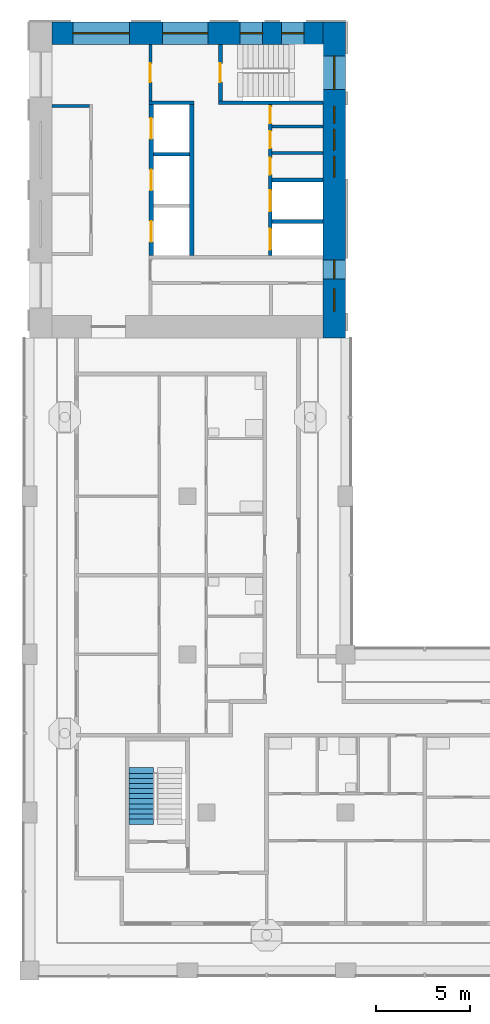
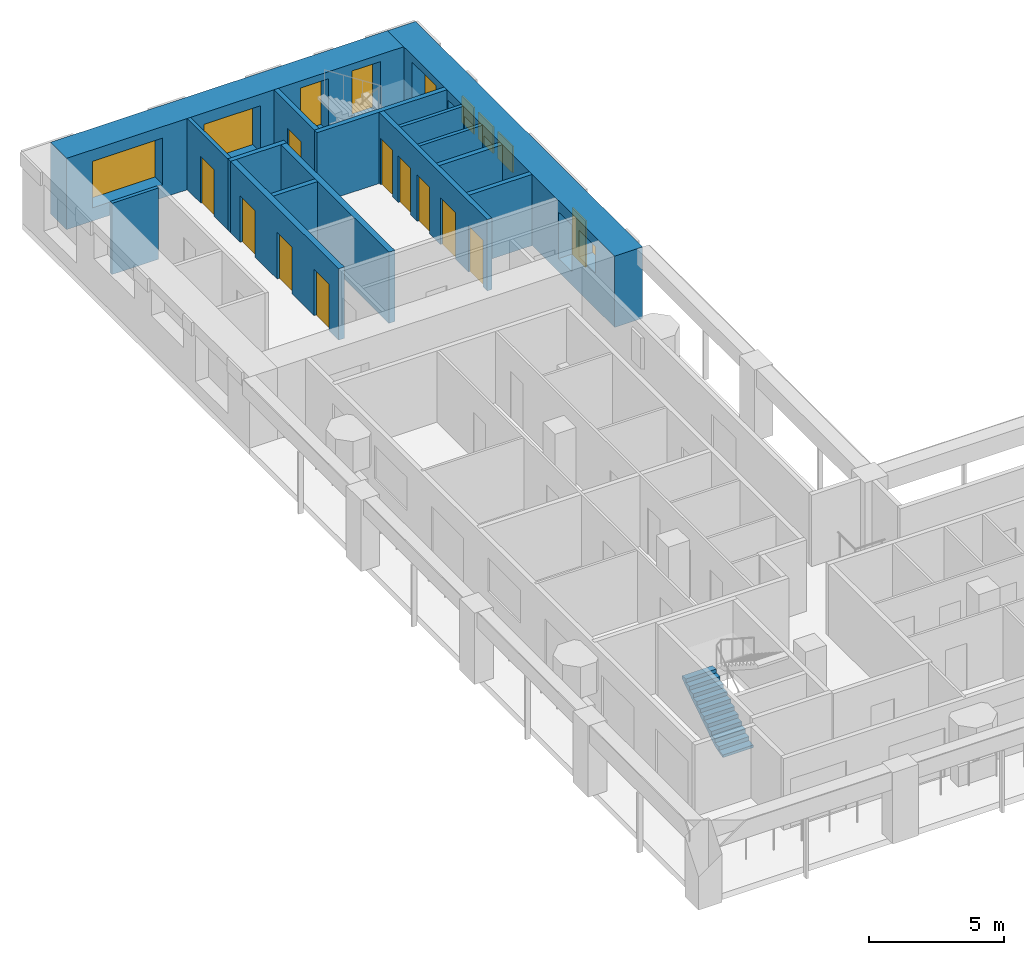
# One storey, part 6 of 12: 15 walls, 10 doors, 10 windows, 1 stair flight, 20 openings, 1 element without a shape of its own.
"""IFC4 building model written with IfcOpenShell, lengths in metres."""

from ifc_helpers import new_model, si_unit, direction, frame, frame_2d, origin, place, context, subcontext, project, spatial, polyline, rectangle, outline, extrude, material, layer, layer_set, type_object, element, fill, aggregate, save


model = new_model("IFC4")

# Units and contexts
model_context = context("Model", 3, precision=1e-05, world=origin(), true_north=direction((0.0, 1.0)))
body_context = subcontext(model_context, "Body", "Model", "MODEL_VIEW")
ifc_project = project(units=[si_unit("LENGTHUNIT", "METRE"), si_unit("AREAUNIT", "SQUARE_METRE"), si_unit("VOLUMEUNIT", "CUBIC_METRE"), si_unit("PLANEANGLEUNIT", "RADIAN"), si_unit("MASSUNIT", "GRAM", prefix="KILO")], contexts=[model_context])

# Site, building, storey
site_placement = place(None, origin())
site = spatial("IfcSite", under=ifc_project, at=site_placement, CompositionType="ELEMENT")
building_placement = place(site_placement, origin())
building = spatial("IfcBuilding", under=site, at=building_placement, Name="Vermilion Gate Residences", CompositionType="ELEMENT")
storey_placement = place(building_placement, frame((0.0, 0.0, 217.699951171875)))
storey = spatial("IfcBuildingStorey", under=building, at=storey_placement, Name="L56", CompositionType="ELEMENT", Elevation=217.699951171875)

# Walls
ifc_material_1 = material(Name="Masonry blockwork", Category="masonry")
ifc_layer_1 = layer(ifc_material_1, 0.14990234375)
ifc_layer_set_1 = layer_set([ifc_layer_1], Name="BLOCKWORK PARTITION 150 EI 120")
wall_type_1 = type_object("IfcWallType", Name="BLOCKWORK PARTITION 150 EI 120", PredefinedType="PARTITIONING", material=ifc_layer_set_1)
wall_1_placement = place(storey_placement, frame((9.60009765625, 54.324951171875, 0.0), z_axis=(0.0, 0.0, 1.0), x_axis=(1.0, 0.0, 0.0)))
element("IfcWall", 1, at=wall_1_placement, inside=storey, type_object=wall_type_1, Name="Core room partition B56-RW-W", PredefinedType="PARTITIONING", context=body_context, shape_type="SweptSolid", body=[
    extrude(rectangle(XDim=2.0, YDim=0.14990234375, at=frame_2d((1.0, 0.0))), origin(), (0.0, 0.0, 1.0), 3.219970703125),
])
for number, where, z_axis, x_axis, name in (
    (2, (21.300048828125, 53.2451171875, 0.0), (0.0, 0.0, 1.0), (1.0, 0.0, 0.0), "Core room partition B56-NR-P0"),
    (3, (21.300048828125, 51.8349609375, 0.0), (0.0, 0.0, 1.0), (1.0, 0.0, 0.0), "Core room partition B56-NR-P1"),
):
    element("IfcWall", number, at=place(storey_placement, frame(where, z_axis=z_axis, x_axis=x_axis)), inside=storey, type_object=wall_type_1, Name=name, PredefinedType="PARTITIONING", context=body_context, shape_type="SweptSolid", body=[
        extrude(rectangle(XDim=2.699951171875, YDim=0.14990234375, at=frame_2d((1.35009765625, 0.0))), origin(), (0.0, 0.0, 1.0), 3.219970703125),
    ])

# Wall, opening, door
wall_2_placement = place(storey_placement, frame((14.824951171875, 57.60009765625, 0.0), z_axis=(0.0, 0.0, 1.0), x_axis=(0.0, -1.0, 0.0)))
wall_2 = element("IfcWall", 4, at=wall_2_placement, inside=storey, type_object=wall_type_1, Name="Core room partition B56-VW-S", PredefinedType="PARTITIONING", context=body_context, shape_type="SweptSolid", body=[
    extrude(rectangle(XDim=3.0, YDim=0.14990234375, at=frame_2d((1.5, 0.0))), origin(), (0.0, 0.0, 1.0), 3.219970703125),
])
opening_1_placement = place(wall_2_placement, frame((1.0, 0.0, 0.0)))
opening_1 = element("IfcOpeningElement", 5, at=opening_1_placement, cuts=wall_2, Name="Opening DK56112", PredefinedType="OPENING", context=body_context, shape_type="SweptSolid", body=[
    extrude(rectangle(XDim=1.0, YDim=2.10009765625, at=frame_2d((0.5, 1.050048828125))), frame((0.0, 0.0849609375, 0.0), z_axis=(0.0, -1.0, 0.0), x_axis=(1.0, 0.0, 0.0)), (0.0, 0.0, 1.0), 0.169921875),
])
ifc_material_2 = material(Name="Steel", Category="steel")
door_type_1 = type_object("IfcDoorType", Name="FIRE DOOR FD60 1000 X 2100", OperationType="SINGLE_SWING_LEFT", PredefinedType="DOOR", material=ifc_material_2)
door_1_placement = place(opening_1_placement, frame((1.0, 0.0, 0.0), z_axis=(0.0, 0.0, 1.0), x_axis=(-1.0, 0.0, 0.0)))
door_1 = element("IfcDoor", 6, at=door_1_placement, inside=storey, type_object=door_type_1, Name="Stair vestibule door B56", OperationType="SINGLE_SWING_RIGHT", OverallHeight=2.10009765625, OverallWidth=1.0, PredefinedType="DOOR", context=body_context, shape_type="SweptSolid", body=[
    extrude(rectangle(XDim=1.0, YDim=2.10009765625, at=frame_2d((0.5, 1.050048828125))), frame((0.0, 0.02490234375, 0.0), z_axis=(0.0, -1.0, 0.0), x_axis=(1.0, 0.0, 0.0)), (0.0, 0.0, 1.0), 0.050048828125),
])
fill(opening_1, door_1)

# Walls
ifc_material_3 = material(Name="Concrete C60", Category="concrete")
ifc_layer_2 = layer(ifc_material_3, 0.199951171875)
ifc_layer_set_2 = layer_set([ifc_layer_2], Name="RC CORE INTERNAL WALL 200 C60")
wall_type_2 = type_object("IfcWallType", Name="RC CORE INTERNAL WALL 200 C60", PredefinedType="SHEAR", material=ifc_layer_set_2)
wall_3_placement = place(storey_placement, frame((15.0, 51.7666015625, 0.0), z_axis=(0.0, 0.0, 1.0), x_axis=(1.0, 0.0, 0.0)))
element("IfcWall", 7, at=wall_3_placement, inside=storey, type_object=wall_type_2, Name="Core internal wall B56-HR-D1", PredefinedType="SHEAR", context=body_context, shape_type="SweptSolid", body=[
    extrude(rectangle(XDim=1.89990234375, YDim=0.199951171875, at=frame_2d((0.949951171875, 0.0))), origin(), (0.0, 0.0, 1.0), 3.219970703125),
])
for number, where, z_axis, x_axis, name in (
    (8, (21.300048828125, 50.39990234375, 0.0), (0.0, 0.0, 1.0), (1.0, 0.0, 0.0), "Core internal wall B56-FF-D0"),
    (9, (21.300048828125, 48.199951171875, 0.0), (0.0, 0.0, 1.0), (1.0, 0.0, 0.0), "Core internal wall B56-FF-D1"),
):
    element("IfcWall", number, at=place(storey_placement, frame(where, z_axis=z_axis, x_axis=x_axis)), inside=storey, type_object=wall_type_2, Name=name, PredefinedType="SHEAR", context=body_context, shape_type="SweptSolid", body=[
        extrude(rectangle(XDim=2.699951171875, YDim=0.199951171875, at=frame_2d((1.35009765625, 0.0))), origin(), (0.0, 0.0, 1.0), 3.219970703125),
    ])

# Wall, openings, doors
wall_4_placement = place(storey_placement, frame((21.199951171875, 54.39990234375, 0.0), z_axis=(0.0, 0.0, 1.0), x_axis=(0.0, -1.0, 0.0)))
wall_4 = element("IfcWall", 10, at=wall_4_placement, inside=storey, type_object=wall_type_2, Name="Core internal wall B56-FF-F", PredefinedType="SHEAR", context=body_context, shape_type="SweptSolid", body=[
    extrude(rectangle(XDim=8.0, YDim=0.199951171875, at=frame_2d((4.0, 0.0))), origin(), (0.0, 0.0, 1.0), 3.219970703125),
])
opening_2_placement = place(wall_4_placement, frame((0.090087890625, 0.0, 0.0)))
opening_2 = element("IfcOpeningElement", 11, at=opening_2_placement, cuts=wall_4, Name="Opening DK56107", PredefinedType="OPENING", context=body_context, shape_type="SweptSolid", body=[
    extrude(rectangle(XDim=0.89990234375, YDim=2.10009765625, at=frame_2d((0.449951171875, 1.050048828125))), frame((0.0, 0.10986328125, 0.0), z_axis=(0.0, -1.0, 0.0), x_axis=(1.0, 0.0, 0.0)), (0.0, 0.0, 1.0), 0.219970703125),
])
opening_3_placement = place(wall_4_placement, frame((1.409912109375, 0.0, 0.0)))
opening_3 = element("IfcOpeningElement", 12, at=opening_3_placement, cuts=wall_4, Name="Opening DK56108", PredefinedType="OPENING", context=body_context, shape_type="SweptSolid", body=[
    extrude(rectangle(XDim=0.89990234375, YDim=2.10009765625, at=frame_2d((0.449951171875, 1.050048828125))), frame((0.0, 0.10986328125, 0.0), z_axis=(0.0, -1.0, 0.0), x_axis=(1.0, 0.0, 0.0)), (0.0, 0.0, 1.0), 0.219970703125),
])
opening_4_placement = place(wall_4_placement, frame((2.820068359375, 0.0, 0.0)))
opening_4 = element("IfcOpeningElement", 13, at=opening_4_placement, cuts=wall_4, Name="Opening DK56109", PredefinedType="OPENING", context=body_context, shape_type="SweptSolid", body=[
    extrude(rectangle(XDim=0.89990234375, YDim=2.10009765625, at=frame_2d((0.449951171875, 1.050048828125))), frame((0.0, 0.10986328125, 0.0), z_axis=(0.0, -1.0, 0.0), x_axis=(1.0, 0.0, 0.0)), (0.0, 0.0, 1.0), 0.219970703125),
])
opening_5_placement = place(wall_4_placement, frame((4.550048828125, 0.0, 0.0)))
opening_5 = element("IfcOpeningElement", 14, at=opening_5_placement, cuts=wall_4, Name="Opening LD", PredefinedType="OPENING", context=body_context, shape_type="SweptSolid", body=[
    extrude(rectangle(XDim=1.10009765625, YDim=2.10009765625, at=frame_2d((0.550048828125, 1.050048828125))), frame((0.0, 0.10986328125, 0.0), z_axis=(0.0, -1.0, 0.0), x_axis=(1.0, 0.0, 0.0)), (0.0, 0.0, 1.0), 0.219970703125),
])
opening_6_placement = place(wall_4_placement, frame((6.60009765625, 0.0, 0.0)))
opening_6 = element("IfcOpeningElement", 15, at=opening_6_placement, cuts=wall_4, Name="Opening LD", PredefinedType="OPENING", context=body_context, shape_type="SweptSolid", body=[
    extrude(rectangle(XDim=1.10009765625, YDim=2.10009765625, at=frame_2d((0.550048828125, 1.050048828125))), frame((0.0, 0.10986328125, 0.0), z_axis=(0.0, -1.0, 0.0), x_axis=(1.0, 0.0, 0.0)), (0.0, 0.0, 1.0), 0.219970703125),
])
ifc_material_4 = material(Name="Stainless steel", Category="steel")
door_type_2 = type_object("IfcDoorType", Name="LIFT LANDING DOOR E60 1100 X 2100", OperationType="DOUBLE_DOOR_SLIDING", PredefinedType="DOOR", material=ifc_material_4)
door_2_placement = place(opening_5_placement, origin())
door_2 = element("IfcDoor", 16, at=door_2_placement, inside=storey, type_object=door_type_2, Name="Lift landing door LFB1", OperationType="DOUBLE_DOOR_SLIDING", OverallHeight=2.10009765625, OverallWidth=1.10009765625, PredefinedType="DOOR", context=body_context, shape_type="SweptSolid", body=[
    extrude(rectangle(XDim=1.10009765625, YDim=2.10009765625, at=frame_2d((0.550048828125, 1.050048828125))), frame((0.0, 0.02490234375, 0.0), z_axis=(0.0, -1.0, 0.0), x_axis=(1.0, 0.0, 0.0)), (0.0, 0.0, 1.0), 0.050048828125),
])
fill(opening_5, door_2)
door_3_placement = place(opening_6_placement, origin())
door_3 = element("IfcDoor", 17, at=door_3_placement, inside=storey, type_object=door_type_2, Name="Lift landing door LCB1", OperationType="DOUBLE_DOOR_SLIDING", OverallHeight=2.10009765625, OverallWidth=1.10009765625, PredefinedType="DOOR", context=body_context, shape_type="SweptSolid", body=[
    extrude(rectangle(XDim=1.10009765625, YDim=2.10009765625, at=frame_2d((0.550048828125, 1.050048828125))), frame((0.0, 0.02490234375, 0.0), z_axis=(0.0, -1.0, 0.0), x_axis=(1.0, 0.0, 0.0)), (0.0, 0.0, 1.0), 0.050048828125),
])
fill(opening_6, door_3)
ifc_material_5 = material(Name="Steel", Category="steel")
door_type_3 = type_object("IfcDoorType", Name="SERVICE ROOM DOOR FD60 900 X 2100", OperationType="SINGLE_SWING_LEFT", PredefinedType="DOOR", material=ifc_material_5)
door_4_placement = place(opening_2_placement, origin())
door_4 = element("IfcDoor", 18, at=door_4_placement, inside=storey, type_object=door_type_3, Name="Parcel room B56", OperationType="SINGLE_SWING_RIGHT", OverallHeight=2.10009765625, OverallWidth=0.89990234375, PredefinedType="DOOR", context=body_context, shape_type="SweptSolid", body=[
    extrude(rectangle(XDim=0.89990234375, YDim=2.10009765625, at=frame_2d((0.449951171875, 1.050048828125))), frame((0.0, 0.02490234375, 0.0), z_axis=(0.0, -1.0, 0.0), x_axis=(1.0, 0.0, 0.0)), (0.0, 0.0, 1.0), 0.050048828125),
])
fill(opening_2, door_4)
door_5_placement = place(opening_3_placement, frame((0.89990234375, 0.0, 0.0), z_axis=(0.0, 0.0, 1.0), x_axis=(-1.0, 0.0, 0.0)))
door_5 = element("IfcDoor", 19, at=door_5_placement, inside=storey, type_object=door_type_3, Name="Electrical room B56", OperationType="SINGLE_SWING_RIGHT", OverallHeight=2.10009765625, OverallWidth=0.89990234375, PredefinedType="DOOR", context=body_context, shape_type="SweptSolid", body=[
    extrude(rectangle(XDim=0.89990234375, YDim=2.10009765625, at=frame_2d((0.449951171875, 1.050048828125))), frame((0.0, 0.02490234375, 0.0), z_axis=(0.0, -1.0, 0.0), x_axis=(1.0, 0.0, 0.0)), (0.0, 0.0, 1.0), 0.050048828125),
])
fill(opening_3, door_5)
door_6_placement = place(opening_4_placement, origin())
door_6 = element("IfcDoor", 20, at=door_6_placement, inside=storey, type_object=door_type_3, Name="Housekeeping store B56", OperationType="SINGLE_SWING_LEFT", OverallHeight=2.10009765625, OverallWidth=0.89990234375, PredefinedType="DOOR", context=body_context, shape_type="SweptSolid", body=[
    extrude(rectangle(XDim=0.89990234375, YDim=2.10009765625, at=frame_2d((0.449951171875, 1.050048828125))), frame((0.0, 0.02490234375, 0.0), z_axis=(0.0, -1.0, 0.0), x_axis=(1.0, 0.0, 0.0)), (0.0, 0.0, 1.0), 0.050048828125),
])
fill(opening_4, door_6)

# Walls
wall_5_placement = place(storey_placement, frame((14.75, 54.5, 0.0), z_axis=(0.0, 0.0, 1.0), x_axis=(1.0, 0.0, 0.0)))
element("IfcWall", 21, at=wall_5_placement, inside=storey, type_object=wall_type_2, Name="Core internal wall B56-WDIV1", PredefinedType="SHEAR", context=body_context, shape_type="SweptSolid", body=[
    extrude(rectangle(XDim=2.39990234375, YDim=0.199951171875, at=frame_2d((1.199951171875, 0.0))), origin(), (0.0, 0.0, 1.0), 3.219970703125),
])
wall_6_placement = place(storey_placement, frame((18.449951171875, 54.5, 0.0), z_axis=(0.0, 0.0, 1.0), x_axis=(1.0, 0.0, 0.0)))
element("IfcWall", 22, at=wall_6_placement, inside=storey, type_object=wall_type_2, Name="Core internal wall B56-WDIV2", PredefinedType="SHEAR", context=body_context, shape_type="SweptSolid", body=[
    extrude(rectangle(XDim=5.550048828125, YDim=0.199951171875, at=frame_2d((2.77490234375, 0.0))), origin(), (0.0, 0.0, 1.0), 3.219970703125),
])

# Wall, opening, door
wall_7_placement = place(storey_placement, frame((18.550048828125, 57.60009765625, 0.0), z_axis=(0.0, 0.0, 1.0), x_axis=(0.0, -1.0, 0.0)))
wall_7 = element("IfcWall", 23, at=wall_7_placement, inside=storey, type_object=wall_type_2, Name="Core internal wall B56-STW-S", PredefinedType="SHEAR", context=body_context, shape_type="SweptSolid", body=[
    extrude(rectangle(XDim=3.0, YDim=0.199951171875, at=frame_2d((1.5, 0.0))), origin(), (0.0, 0.0, 1.0), 3.219970703125),
])
opening_7_placement = place(wall_7_placement, frame((1.0, 0.0, 0.0)))
opening_7 = element("IfcOpeningElement", 24, at=opening_7_placement, cuts=wall_7, Name="Opening DK56113", PredefinedType="OPENING", context=body_context, shape_type="SweptSolid", body=[
    extrude(rectangle(XDim=1.0, YDim=2.10009765625, at=frame_2d((0.5, 1.050048828125))), frame((0.0, 0.10986328125, 0.0), z_axis=(0.0, -1.0, 0.0), x_axis=(1.0, 0.0, 0.0)), (0.0, 0.0, 1.0), 0.219970703125),
])
door_7_placement = place(opening_7_placement, origin())
door_7 = element("IfcDoor", 25, at=door_7_placement, inside=storey, type_object=door_type_1, Name="Stair door B56", OperationType="SINGLE_SWING_LEFT", OverallHeight=2.10009765625, OverallWidth=1.0, PredefinedType="DOOR", context=body_context, shape_type="SweptSolid", body=[
    extrude(rectangle(XDim=1.0, YDim=2.10009765625, at=frame_2d((0.5, 1.050048828125))), frame((0.0, 0.02490234375, 0.0), z_axis=(0.0, -1.0, 0.0), x_axis=(1.0, 0.0, 0.0)), (0.0, 0.0, 1.0), 0.050048828125),
])
fill(opening_7, door_7)

# Wall, openings, windows
ifc_material_6 = material(Name="Concrete C50 red-oxide pigmented", Category="concrete")
ifc_layer_3 = layer(ifc_material_6, 1.199951171875)
ifc_layer_set_3 = layer_set([ifc_layer_3], Name="RC CORE WALL 1200 C50 RED OXIDE")
wall_type_3 = type_object("IfcWallType", Name="RC CORE WALL 1200 C50 RED OXIDE", PredefinedType="SHEAR", material=ifc_layer_set_3)
wall_8_placement = place(storey_placement, frame((24.60009765625, 58.800048828125, 0.0), z_axis=(0.0, 0.0, 1.0), x_axis=(0.0, -1.0, 0.0)))
wall_8 = element("IfcWall", 26, at=wall_8_placement, inside=storey, type_object=wall_type_3, Name="Core wall B56-OUT-B1", PredefinedType="SHEAR", context=body_context, shape_type="SweptSolid", body=[
    extrude(rectangle(XDim=16.800048828125, YDim=1.199951171875, at=frame_2d((8.39990234375, 0.0))), origin(), (0.0, 0.0, 1.0), 3.219970703125),
])
opening_8_placement = place(wall_8_placement, frame((1.800048828125, 0.0, 0.5)))
opening_8 = element("IfcOpeningElement", 27, at=opening_8_placement, cuts=wall_8, Name="Opening WKB5605", PredefinedType="OPENING", context=body_context, shape_type="SweptSolid", body=[
    extrude(rectangle(XDim=1.800048828125, YDim=2.39990234375, at=frame_2d((0.89990234375, 1.199951171875))), frame((0.0, 0.60986328125, 0.0), z_axis=(0.0, -1.0, 0.0), x_axis=(1.0, 0.0, 0.0)), (0.0, 0.0, 1.0), 1.219970703125),
])
opening_9_placement = place(wall_8_placement, frame((4.489990234375, 0.0, 1.60009765625)))
opening_9 = element("IfcOpeningElement", 28, at=opening_9_placement, cuts=wall_8, Name="Opening WKB5606", PredefinedType="OPENING", context=body_context, shape_type="SweptSolid", body=[
    extrude(rectangle(XDim=0.89990234375, YDim=1.199951171875, at=frame_2d((0.449951171875, 0.60009765625))), frame((0.0, 0.60986328125, 0.0), z_axis=(0.0, -1.0, 0.0), x_axis=(1.0, 0.0, 0.0)), (0.0, 0.0, 1.0), 1.219970703125),
])
opening_10_placement = place(wall_8_placement, frame((5.7099609375, 0.0, 1.60009765625)))
opening_10 = element("IfcOpeningElement", 29, at=opening_10_placement, cuts=wall_8, Name="Opening WKB5607", PredefinedType="OPENING", context=body_context, shape_type="SweptSolid", body=[
    extrude(rectangle(XDim=1.10009765625, YDim=1.199951171875, at=frame_2d((0.550048828125, 0.60009765625))), frame((0.0, 0.60986328125, 0.0), z_axis=(0.0, -1.0, 0.0), x_axis=(1.0, 0.0, 0.0)), (0.0, 0.0, 1.0), 1.219970703125),
])
opening_11_placement = place(wall_8_placement, frame((7.14990234375, 0.0, 1.60009765625)))
opening_11 = element("IfcOpeningElement", 30, at=opening_11_placement, cuts=wall_8, Name="Opening WKB5608", PredefinedType="OPENING", context=body_context, shape_type="SweptSolid", body=[
    extrude(rectangle(XDim=1.10009765625, YDim=1.199951171875, at=frame_2d((0.550048828125, 0.60009765625))), frame((0.0, 0.60986328125, 0.0), z_axis=(0.0, -1.0, 0.0), x_axis=(1.0, 0.0, 0.0)), (0.0, 0.0, 1.0), 1.219970703125),
])
opening_12_placement = place(wall_8_placement, frame((12.64990234375, 0.0, 0.60009765625)))
opening_12 = element("IfcOpeningElement", 31, at=opening_12_placement, cuts=wall_8, Name="Opening WKB5609", PredefinedType="OPENING", context=body_context, shape_type="SweptSolid", body=[
    extrude(rectangle(XDim=1.0, YDim=2.10009765625, at=frame_2d((0.5, 1.050048828125))), frame((0.0, 0.60986328125, 0.0), z_axis=(0.0, -1.0, 0.0), x_axis=(1.0, 0.0, 0.0)), (0.0, 0.0, 1.0), 1.219970703125),
])
opening_13_placement = place(wall_8_placement, frame((14.175048828125, 0.0, 1.60009765625)))
opening_13 = element("IfcOpeningElement", 32, at=opening_13_placement, cuts=wall_8, Name="Opening WKB5610", PredefinedType="OPENING", context=body_context, shape_type="SweptSolid", body=[
    extrude(rectangle(XDim=1.199951171875, YDim=1.199951171875, at=frame_2d((0.60009765625, 0.60009765625))), frame((0.0, 0.60986328125, 0.0), z_axis=(0.0, -1.0, 0.0), x_axis=(1.0, 0.0, 0.0)), (0.0, 0.0, 1.0), 1.219970703125),
])
ifc_material_7 = material(Name="Aluminium and clear glass", Category="aluminium")
window_type_1 = type_object("IfcWindowType", Name="CORE CORRIDOR WINDOW 1000 X 2100", PartitioningType="SINGLE_PANEL", PredefinedType="WINDOW", material=ifc_material_7)
window_1_placement = place(opening_12_placement, origin())
window_1 = element("IfcWindow", 33, at=window_1_placement, inside=storey, type_object=window_type_1, Name="Core corridor window", OverallHeight=2.10009765625, OverallWidth=1.0, PartitioningType="SINGLE_PANEL", PredefinedType="WINDOW", context=body_context, shape_type="SweptSolid", body=[
    extrude(rectangle(XDim=1.0, YDim=2.10009765625, at=frame_2d((0.5, 1.050048828125))), frame((0.0, 0.030029296875, 0.0), z_axis=(0.0, -1.0, 0.0), x_axis=(1.0, 0.0, 0.0)), (0.0, 0.0, 1.0), 0.06005859375),
])
fill(opening_12, window_1)
ifc_material_8 = material(Name="Aluminium frame with louvre blades", Category="aluminium")
window_type_2 = type_object("IfcWindowType", Name="CORE LOUVRE 1100 X 1200", PartitioningType="SINGLE_PANEL", PredefinedType="WINDOW", material=ifc_material_8)
window_2_placement = place(opening_10_placement, origin())
window_2 = element("IfcWindow", 34, at=window_2_placement, inside=storey, type_object=window_type_2, Name="Core louvre", OverallHeight=1.199951171875, OverallWidth=1.10009765625, PartitioningType="SINGLE_PANEL", PredefinedType="WINDOW", context=body_context, shape_type="SweptSolid", body=[
    extrude(rectangle(XDim=1.10009765625, YDim=1.199951171875, at=frame_2d((0.550048828125, 0.60009765625))), frame((0.0, 0.030029296875, 0.0), z_axis=(0.0, -1.0, 0.0), x_axis=(1.0, 0.0, 0.0)), (0.0, 0.0, 1.0), 0.06005859375),
])
fill(opening_10, window_2)
window_3_placement = place(opening_11_placement, origin())
window_3 = element("IfcWindow", 35, at=window_3_placement, inside=storey, type_object=window_type_2, Name="Core louvre", OverallHeight=1.199951171875, OverallWidth=1.10009765625, PartitioningType="SINGLE_PANEL", PredefinedType="WINDOW", context=body_context, shape_type="SweptSolid", body=[
    extrude(rectangle(XDim=1.10009765625, YDim=1.199951171875, at=frame_2d((0.550048828125, 0.60009765625))), frame((0.0, 0.030029296875, 0.0), z_axis=(0.0, -1.0, 0.0), x_axis=(1.0, 0.0, 0.0)), (0.0, 0.0, 1.0), 0.06005859375),
])
fill(opening_11, window_3)
ifc_material_9 = material(Name="Aluminium frame with louvre blades", Category="aluminium")
window_type_3 = type_object("IfcWindowType", Name="CORE LOUVRE 1200 X 1200", PartitioningType="SINGLE_PANEL", PredefinedType="WINDOW", material=ifc_material_9)
window_4_placement = place(opening_13_placement, origin())
window_4 = element("IfcWindow", 36, at=window_4_placement, inside=storey, type_object=window_type_3, Name="Core louvre", OverallHeight=1.199951171875, OverallWidth=1.199951171875, PartitioningType="SINGLE_PANEL", PredefinedType="WINDOW", context=body_context, shape_type="SweptSolid", body=[
    extrude(rectangle(XDim=1.199951171875, YDim=1.199951171875, at=frame_2d((0.60009765625, 0.60009765625))), frame((0.0, 0.030029296875, 0.0), z_axis=(0.0, -1.0, 0.0), x_axis=(1.0, 0.0, 0.0)), (0.0, 0.0, 1.0), 0.06005859375),
])
fill(opening_13, window_4)
ifc_material_10 = material(Name="Aluminium frame with louvre blades", Category="aluminium")
window_type_4 = type_object("IfcWindowType", Name="CORE LOUVRE 900 X 1200", PartitioningType="SINGLE_PANEL", PredefinedType="WINDOW", material=ifc_material_10)
window_5_placement = place(opening_9_placement, origin())
window_5 = element("IfcWindow", 37, at=window_5_placement, inside=storey, type_object=window_type_4, Name="Core louvre", OverallHeight=1.199951171875, OverallWidth=0.89990234375, PartitioningType="SINGLE_PANEL", PredefinedType="WINDOW", context=body_context, shape_type="SweptSolid", body=[
    extrude(rectangle(XDim=0.89990234375, YDim=1.199951171875, at=frame_2d((0.449951171875, 0.60009765625))), frame((0.0, 0.030029296875, 0.0), z_axis=(0.0, -1.0, 0.0), x_axis=(1.0, 0.0, 0.0)), (0.0, 0.0, 1.0), 0.06005859375),
])
fill(opening_9, window_5)
ifc_material_11 = material(Name="Aluminium and clear glass", Category="aluminium")
window_type_5 = type_object("IfcWindowType", Name="CORE STAIR WINDOW 1800 X 2400", PartitioningType="SINGLE_PANEL", PredefinedType="WINDOW", material=ifc_material_11)
window_6_placement = place(opening_8_placement, origin())
window_6 = element("IfcWindow", 38, at=window_6_placement, inside=storey, type_object=window_type_5, Name="Core stair window", OverallHeight=2.39990234375, OverallWidth=1.800048828125, PartitioningType="SINGLE_PANEL", PredefinedType="WINDOW", context=body_context, shape_type="SweptSolid", body=[
    extrude(rectangle(XDim=1.800048828125, YDim=2.39990234375, at=frame_2d((0.89990234375, 1.199951171875))), frame((0.0, 0.030029296875, 0.0), z_axis=(0.0, -1.0, 0.0), x_axis=(1.0, 0.0, 0.0)), (0.0, 0.0, 1.0), 0.06005859375),
])
fill(opening_8, window_6)

wall_9_placement = place(storey_placement, frame((9.60009765625, 58.199951171875, 0.0), z_axis=(0.0, 0.0, 1.0), x_axis=(1.0, 0.0, 0.0)))
wall_9 = element("IfcWall", 39, at=wall_9_placement, inside=storey, type_object=wall_type_3, Name="Core wall B56-OUT-FR", PredefinedType="SHEAR", context=body_context, shape_type="SweptSolid", body=[
    extrude(rectangle(XDim=14.39990234375, YDim=1.199951171875, at=frame_2d((7.199951171875, 0.0))), origin(), (0.0, 0.0, 1.0), 3.219970703125),
])
opening_14_placement = place(wall_9_placement, frame((1.10498046875, 0.0, 0.60009765625)))
opening_14 = element("IfcOpeningElement", 40, at=opening_14_placement, cuts=wall_9, Name="Opening WKB5611", PredefinedType="OPENING", context=body_context, shape_type="SweptSolid", body=[
    extrude(rectangle(XDim=3.0, YDim=2.10009765625, at=frame_2d((1.5, 1.050048828125))), frame((0.0, 0.60986328125, 0.0), z_axis=(0.0, -1.0, 0.0), x_axis=(1.0, 0.0, 0.0)), (0.0, 0.0, 1.0), 1.219970703125),
])
opening_15_placement = place(wall_9_placement, frame((5.875, 0.0, 0.60009765625)))
opening_15 = element("IfcOpeningElement", 41, at=opening_15_placement, cuts=wall_9, Name="Opening WKB5612", PredefinedType="OPENING", context=body_context, shape_type="SweptSolid", body=[
    extrude(rectangle(XDim=2.39990234375, YDim=2.10009765625, at=frame_2d((1.199951171875, 1.050048828125))), frame((0.0, 0.60986328125, 0.0), z_axis=(0.0, -1.0, 0.0), x_axis=(1.0, 0.0, 0.0)), (0.0, 0.0, 1.0), 1.219970703125),
])
opening_16_placement = place(wall_9_placement, frame((9.993408203125, 0.0, 0.5)))
opening_16 = element("IfcOpeningElement", 42, at=opening_16_placement, cuts=wall_9, Name="Opening WKB5613", PredefinedType="OPENING", context=body_context, shape_type="SweptSolid", body=[
    extrude(rectangle(XDim=1.199951171875, YDim=2.39990234375, at=frame_2d((0.60009765625, 1.199951171875))), frame((0.0, 0.60986328125, 0.0), z_axis=(0.0, -1.0, 0.0), x_axis=(1.0, 0.0, 0.0)), (0.0, 0.0, 1.0), 1.219970703125),
])
opening_17_placement = place(wall_9_placement, frame((12.19677734375, 0.0, 0.5)))
opening_17 = element("IfcOpeningElement", 43, at=opening_17_placement, cuts=wall_9, Name="Opening WKB5614", PredefinedType="OPENING", context=body_context, shape_type="SweptSolid", body=[
    extrude(rectangle(XDim=1.199951171875, YDim=2.39990234375, at=frame_2d((0.60009765625, 1.199951171875))), frame((0.0, 0.60986328125, 0.0), z_axis=(0.0, -1.0, 0.0), x_axis=(1.0, 0.0, 0.0)), (0.0, 0.0, 1.0), 1.219970703125),
])
ifc_material_12 = material(Name="Aluminium and clear glass", Category="aluminium")
window_type_6 = type_object("IfcWindowType", Name="CORE LOBBY WINDOW 2400 X 2100", PartitioningType="SINGLE_PANEL", PredefinedType="WINDOW", material=ifc_material_12)
window_7_placement = place(opening_15_placement, origin())
window_7 = element("IfcWindow", 44, at=window_7_placement, inside=storey, type_object=window_type_6, Name="Core lobby window", OverallHeight=2.10009765625, OverallWidth=2.39990234375, PartitioningType="SINGLE_PANEL", PredefinedType="WINDOW", context=body_context, shape_type="SweptSolid", body=[
    extrude(rectangle(XDim=2.39990234375, YDim=2.10009765625, at=frame_2d((1.199951171875, 1.050048828125))), frame((0.0, 0.030029296875, 0.0), z_axis=(0.0, -1.0, 0.0), x_axis=(1.0, 0.0, 0.0)), (0.0, 0.0, 1.0), 0.06005859375),
])
fill(opening_15, window_7)
ifc_material_13 = material(Name="Aluminium and clear glass", Category="aluminium")
window_type_7 = type_object("IfcWindowType", Name="CORE LOBBY WINDOW 3000 X 2100", PartitioningType="SINGLE_PANEL", PredefinedType="WINDOW", material=ifc_material_13)
window_8_placement = place(opening_14_placement, origin())
window_8 = element("IfcWindow", 45, at=window_8_placement, inside=storey, type_object=window_type_7, Name="Core lobby window", OverallHeight=2.10009765625, OverallWidth=3.0, PartitioningType="SINGLE_PANEL", PredefinedType="WINDOW", context=body_context, shape_type="SweptSolid", body=[
    extrude(rectangle(XDim=3.0, YDim=2.10009765625, at=frame_2d((1.5, 1.050048828125))), frame((0.0, 0.030029296875, 0.0), z_axis=(0.0, -1.0, 0.0), x_axis=(1.0, 0.0, 0.0)), (0.0, 0.0, 1.0), 0.06005859375),
])
fill(opening_14, window_8)
ifc_material_14 = material(Name="Aluminium and clear glass", Category="aluminium")
window_type_8 = type_object("IfcWindowType", Name="CORE STAIR WINDOW 1200 X 2400", PartitioningType="SINGLE_PANEL", PredefinedType="WINDOW", material=ifc_material_14)
window_9_placement = place(opening_16_placement, origin())
window_9 = element("IfcWindow", 46, at=window_9_placement, inside=storey, type_object=window_type_8, Name="Core stair window", OverallHeight=2.39990234375, OverallWidth=1.199951171875, PartitioningType="SINGLE_PANEL", PredefinedType="WINDOW", context=body_context, shape_type="SweptSolid", body=[
    extrude(rectangle(XDim=1.199951171875, YDim=2.39990234375, at=frame_2d((0.60009765625, 1.199951171875))), frame((0.0, 0.030029296875, 0.0), z_axis=(0.0, -1.0, 0.0), x_axis=(1.0, 0.0, 0.0)), (0.0, 0.0, 1.0), 0.06005859375),
])
fill(opening_16, window_9)
window_10_placement = place(opening_17_placement, origin())
window_10 = element("IfcWindow", 47, at=window_10_placement, inside=storey, type_object=window_type_8, Name="Core stair window", OverallHeight=2.39990234375, OverallWidth=1.199951171875, PartitioningType="SINGLE_PANEL", PredefinedType="WINDOW", context=body_context, shape_type="SweptSolid", body=[
    extrude(rectangle(XDim=1.199951171875, YDim=2.39990234375, at=frame_2d((0.60009765625, 1.199951171875))), frame((0.0, 0.030029296875, 0.0), z_axis=(0.0, -1.0, 0.0), x_axis=(1.0, 0.0, 0.0)), (0.0, 0.0, 1.0), 0.06005859375),
])
fill(opening_17, window_10)

# Wall, openings, doors
ifc_material_15 = material(Name="Concrete C60", Category="concrete")
ifc_layer_4 = layer(ifc_material_15, 0.25)
ifc_layer_set_4 = layer_set([ifc_layer_4], Name="RC LIFT SHAFT WALL 250 C60")
wall_type_4 = type_object("IfcWallType", Name="RC LIFT SHAFT WALL 250 C60", PredefinedType="SHEAR", material=ifc_layer_set_4)
wall_10_placement = place(storey_placement, frame((14.875, 54.39990234375, 0.0), z_axis=(0.0, 0.0, 1.0), x_axis=(0.0, -1.0, 0.0)))
wall_10 = element("IfcWall", 48, at=wall_10_placement, inside=storey, type_object=wall_type_4, Name="Lift shaft wall B56-HR-F", PredefinedType="SHEAR", context=body_context, shape_type="SweptSolid", body=[
    extrude(rectangle(XDim=8.0, YDim=0.25, at=frame_2d((4.0, 0.0))), origin(), (0.0, 0.0, 1.0), 3.219970703125),
])
opening_18_placement = place(wall_10_placement, frame((0.716552734375, 0.0, 0.0)))
opening_18 = element("IfcOpeningElement", 49, at=opening_18_placement, cuts=wall_10, Name="Opening LD", PredefinedType="OPENING", context=body_context, shape_type="SweptSolid", body=[
    extrude(rectangle(XDim=1.10009765625, YDim=2.10009765625, at=frame_2d((0.550048828125, 1.050048828125))), frame((0.0, 0.135009765625, 0.0), z_axis=(0.0, -1.0, 0.0), x_axis=(1.0, 0.0, 0.0)), (0.0, 0.0, 1.0), 0.27001953125),
])
opening_19_placement = place(wall_10_placement, frame((3.449951171875, 0.0, 0.0)))
opening_19 = element("IfcOpeningElement", 50, at=opening_19_placement, cuts=wall_10, Name="Opening LD", PredefinedType="OPENING", context=body_context, shape_type="SweptSolid", body=[
    extrude(rectangle(XDim=1.10009765625, YDim=2.10009765625, at=frame_2d((0.550048828125, 1.050048828125))), frame((0.0, 0.135009765625, 0.0), z_axis=(0.0, -1.0, 0.0), x_axis=(1.0, 0.0, 0.0)), (0.0, 0.0, 1.0), 0.27001953125),
])
opening_20_placement = place(wall_10_placement, frame((6.183349609375, 0.0, 0.0)))
opening_20 = element("IfcOpeningElement", 51, at=opening_20_placement, cuts=wall_10, Name="Opening LD", PredefinedType="OPENING", context=body_context, shape_type="SweptSolid", body=[
    extrude(rectangle(XDim=1.10009765625, YDim=2.10009765625, at=frame_2d((0.550048828125, 1.050048828125))), frame((0.0, 0.135009765625, 0.0), z_axis=(0.0, -1.0, 0.0), x_axis=(1.0, 0.0, 0.0)), (0.0, 0.0, 1.0), 0.27001953125),
])
door_8_placement = place(opening_18_placement, origin())
door_8 = element("IfcDoor", 52, at=door_8_placement, inside=storey, type_object=door_type_2, Name="Lift landing door HRB1", OperationType="DOUBLE_DOOR_SLIDING", OverallHeight=2.10009765625, OverallWidth=1.10009765625, PredefinedType="DOOR", context=body_context, shape_type="SweptSolid", body=[
    extrude(rectangle(XDim=1.10009765625, YDim=2.10009765625, at=frame_2d((0.550048828125, 1.050048828125))), frame((0.0, 0.02490234375, 0.0), z_axis=(0.0, -1.0, 0.0), x_axis=(1.0, 0.0, 0.0)), (0.0, 0.0, 1.0), 0.050048828125),
])
fill(opening_18, door_8)
door_9_placement = place(opening_19_placement, origin())
door_9 = element("IfcDoor", 53, at=door_9_placement, inside=storey, type_object=door_type_2, Name="Lift landing door HRB2", OperationType="DOUBLE_DOOR_SLIDING", OverallHeight=2.10009765625, OverallWidth=1.10009765625, PredefinedType="DOOR", context=body_context, shape_type="SweptSolid", body=[
    extrude(rectangle(XDim=1.10009765625, YDim=2.10009765625, at=frame_2d((0.550048828125, 1.050048828125))), frame((0.0, 0.02490234375, 0.0), z_axis=(0.0, -1.0, 0.0), x_axis=(1.0, 0.0, 0.0)), (0.0, 0.0, 1.0), 0.050048828125),
])
fill(opening_19, door_9)
door_10_placement = place(opening_20_placement, origin())
door_10 = element("IfcDoor", 54, at=door_10_placement, inside=storey, type_object=door_type_2, Name="Lift landing door HRB3", OperationType="DOUBLE_DOOR_SLIDING", OverallHeight=2.10009765625, OverallWidth=1.10009765625, PredefinedType="DOOR", context=body_context, shape_type="SweptSolid", body=[
    extrude(rectangle(XDim=1.10009765625, YDim=2.10009765625, at=frame_2d((0.550048828125, 1.050048828125))), frame((0.0, 0.02490234375, 0.0), z_axis=(0.0, -1.0, 0.0), x_axis=(1.0, 0.0, 0.0)), (0.0, 0.0, 1.0), 0.050048828125),
])
fill(opening_20, door_10)

# Wall
wall_11_placement = place(storey_placement, frame((17.02490234375, 54.39990234375, 0.0), z_axis=(0.0, 0.0, 1.0), x_axis=(0.0, -1.0, 0.0)))
element("IfcWall", 55, at=wall_11_placement, inside=storey, type_object=wall_type_4, Name="Lift shaft wall B56-HR-B", PredefinedType="SHEAR", context=body_context, shape_type="SweptSolid", body=[
    extrude(rectangle(XDim=8.0, YDim=0.25, at=frame_2d((4.0, 0.0))), origin(), (0.0, 0.0, 1.0), 3.219970703125),
])

# Stair, stair flight
ifc_material_16 = material(Name="Concrete C50", Category="concrete")
stair_type = type_object("IfcStairType", Name="SPECIAL ESCAPE STAIR 1300", PredefinedType="HALF_TURN_STAIR", material=ifc_material_16)
stair_placement = place(storey_placement, origin())
stair = element("IfcStair", 56, at=stair_placement, inside=storey, type_object=stair_type, Name="Special escape stair STC1-56", PredefinedType="HALF_TURN_STAIR")
ifc_material_17 = material(Name="Concrete C50", Category="concrete")
stair_flight_type = type_object("IfcStairFlightType", Name="STAIR FLIGHT 1300 RC C50", PredefinedType="STRAIGHT", material=ifc_material_17)
stair_flight_placement = place(storey_placement, frame((14.35009765625, 16.449951171875, 0.0), z_axis=(0.0, 0.0, 1.0), x_axis=(0.0, 1.0, 0.0)))
stair_flight = element("IfcStairFlight", 57, at=stair_flight_placement, type_object=stair_flight_type, Name="STC1-56 flight 1", NumberOfRisers=10, NumberOfTreads=9, PredefinedType="STRAIGHT", RiserHeight=0.175, TreadLength=0.27, context=body_context, shape_type="SweptSolid", body=[
    extrude(outline(polyline([(-0.300048828125, -0.14990234375), (-0.300048828125, -0.030029296875), (0.0, 0.0), (0.0, 0.175048828125), (0.27001953125, 0.175048828125), (0.27001953125, 0.35009765625), (0.5400390625, 0.35009765625), (0.5400390625, 0.52490234375), (0.81005859375, 0.52490234375), (0.81005859375, 0.699951171875), (1.080078125, 0.699951171875), (1.080078125, 0.875), (1.35009765625, 0.875), (1.35009765625, 1.050048828125), (1.6201171875, 1.050048828125), (1.6201171875, 1.22509765625), (1.889892578125, 1.22509765625), (1.889892578125, 1.39990234375), (2.159912109375, 1.39990234375), (2.159912109375, 1.574951171875), (2.429931640625, 1.574951171875), (2.429931640625, 1.75), (2.72998046875, 1.719970703125), (2.72998046875, 1.60009765625), (2.429931640625, 1.396484375), (0.275634765625, 0.0), (-0.300048828125, -0.14990234375)])), frame((0.0, 0.64990234375, 0.0), z_axis=(0.0, -1.0, 0.0), x_axis=(1.0, 0.0, 0.0)), (0.0, 0.0, 1.0), 1.300048828125),
])
aggregate(stair, [stair_flight])

save(model, "model.ifc")
